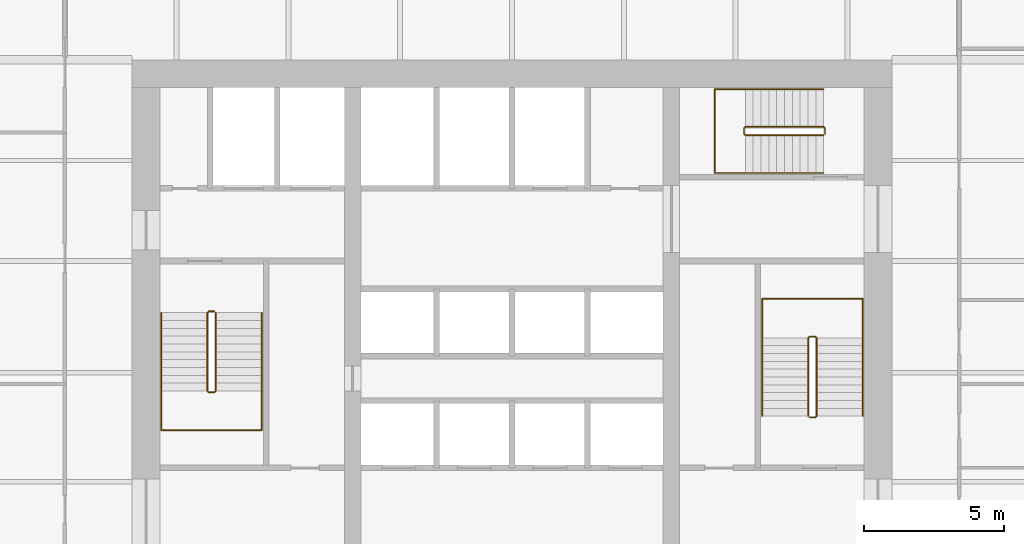
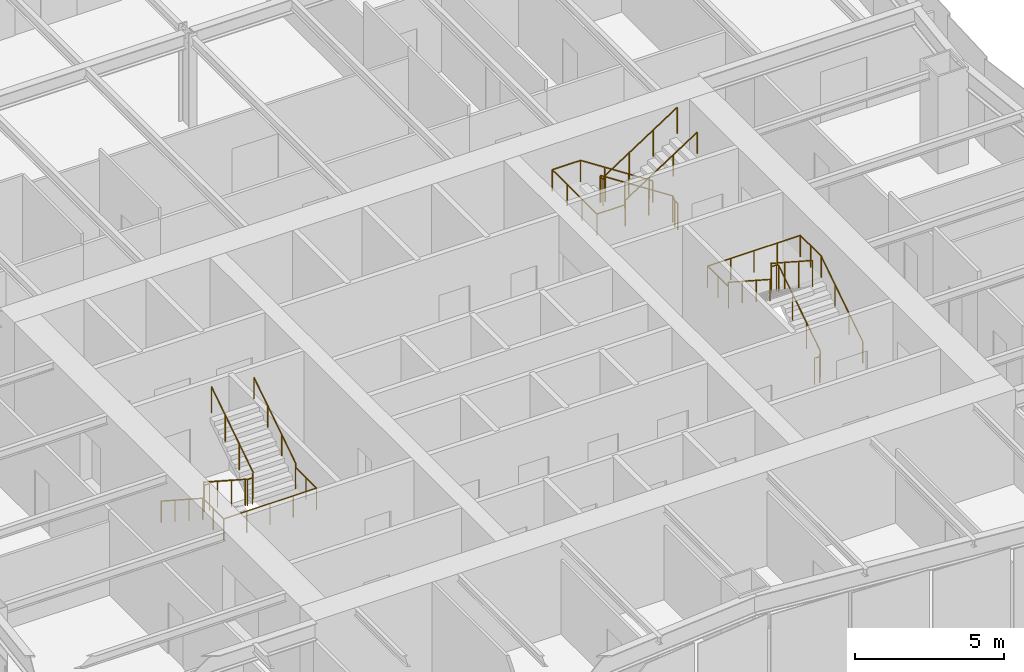
# One storey, part 8 of 8: 6 railings.
"""IFC4 building model written with IfcOpenShell, lengths in metres."""

from ifc_helpers import new_model, si_unit, direction, frame, origin, origin_2d, place, context, subcontext, project, spatial, circle, extrude, material, type_object, element, save


model = new_model("IFC4")

# Units and contexts
model_context = context("Model", 3, precision=1e-05, world=origin(), true_north=direction((0.0, 1.0)))
body_context = subcontext(model_context, "Body", "Model", "MODEL_VIEW")
ifc_project = project(units=[si_unit("LENGTHUNIT", "METRE"), si_unit("AREAUNIT", "SQUARE_METRE"), si_unit("VOLUMEUNIT", "CUBIC_METRE"), si_unit("PLANEANGLEUNIT", "RADIAN"), si_unit("MASSUNIT", "GRAM", prefix="KILO")], contexts=[model_context])

# Site, building, storey
site_placement = place(None, origin())
site = spatial("IfcSite", under=ifc_project, at=site_placement, CompositionType="ELEMENT")
building_placement = place(site_placement, origin())
building = spatial("IfcBuilding", under=site, at=building_placement, Name="Verdant Reach Tower", CompositionType="ELEMENT")
storey_placement = place(building_placement, frame((0.0, 0.0, 154.0)))
storey = spatial("IfcBuildingStorey", under=building, at=storey_placement, Name="L35", CompositionType="ELEMENT", Elevation=154.0)

# Railings
ifc_material = material(Name="Stainless steel", Category="steel")
railing_type_1 = type_object("IfcRailingType", Name="CO-GUARD", PredefinedType="GUARDRAIL", material=ifc_material)
railing_1_placement = place(storey_placement, frame((-10.64990234375, 29.60009765625, 0.0)))
element("IfcRailing", 1, at=railing_1_placement, inside=storey, type_object=railing_type_1, Name="L35 ST-1 stair guard 1", PredefinedType="GUARDRAIL", context=body_context, shape_type="SweptSolid", body=[
    extrude(circle(Radius=0.02392578125, at=origin_2d()), frame((0.0, 0.0, 1.076171875), z_axis=(-1.0, 0.0, 0.0), x_axis=(0.0, -1.0, 0.0)), (0.0, 0.0, 1.0), 0.2001953125),
    extrude(circle(Radius=0.02392578125, at=origin_2d()), frame((-0.2001953125, 0.0, 1.076171875), z_axis=(-0.25526617399, -0.256517478764, 0.932222056972), x_axis=(0.708833529934, -0.705375805398, 0.0)), (0.0, 0.0, 1.0), 0.195068359375),
    extrude(circle(Radius=0.02392578125, at=origin_2d()), frame((-0.25, -0.050048828125, 1.2578125), z_axis=(0.0, -0.838705829183, 0.544584733623), x_axis=(1.0, 0.0, 0.0)), (0.0, 0.0, 1.0), 3.338623046875),
    extrude(circle(Radius=0.02392578125, at=origin_2d()), frame((-0.25, -2.85009765625, 3.076171875), z_axis=(0.705375805398, -0.708833529934, 0.0), x_axis=(0.708833529934, 0.705375805398, 0.0)), (0.0, 0.0, 1.0), 0.070556640625),
    extrude(circle(Radius=0.02392578125, at=origin_2d()), frame((-0.2001953125, -2.900146484375, 3.076171875), z_axis=(1.0, 0.0, 0.0), x_axis=(0.0, 1.0, 0.0)), (0.0, 0.0, 1.0), 0.2001953125),
    extrude(circle(Radius=0.02392578125, at=origin_2d()), frame((0.0, -2.900146484375, 3.076171875), z_axis=(0.25526617399, 0.256517478764, 0.932222056972), x_axis=(-0.708833529934, 0.705375805398, 0.0)), (0.0, 0.0, 1.0), 0.195068359375),
    extrude(circle(Radius=0.02392578125, at=origin_2d()), frame((0.0498046875, -2.85009765625, 3.2578125), z_axis=(0.0, 0.838705829183, 0.544584733623), x_axis=(-1.0, 0.0, 0.0)), (0.0, 0.0, 1.0), 3.338623046875),
    extrude(circle(Radius=0.02099609375, at=origin_2d()), origin(), (0.0, 0.0, 1.0), 1.052001953125),
    extrude(circle(Radius=0.02099609375, at=origin_2d()), frame((-0.2001953125, 0.0, 0.0)), (0.0, 0.0, 1.0), 1.052001953125),
    extrude(circle(Radius=0.02099609375, at=origin_2d()), frame((-0.25, -0.050048828125, 0.181884765625)), (0.0, 0.0, 1.0), 1.052001953125),
    extrude(circle(Radius=0.02099609375, at=origin_2d()), frame((-0.25, -0.9833984375, 0.787841796875)), (0.0, 0.0, 1.0), 1.052001953125),
    extrude(circle(Radius=0.02099609375, at=origin_2d()), frame((-0.25, -1.916748046875, 1.39404296875)), (0.0, 0.0, 1.0), 1.052001953125),
    extrude(circle(Radius=0.02099609375, at=origin_2d()), frame((-0.25, -2.85009765625, 2.0)), (0.0, 0.0, 1.0), 1.052001953125),
    extrude(circle(Radius=0.02099609375, at=origin_2d()), frame((-0.2001953125, -2.900146484375, 2.0)), (0.0, 0.0, 1.0), 1.052001953125),
    extrude(circle(Radius=0.02099609375, at=origin_2d()), frame((0.0, -2.900146484375, 2.0)), (0.0, 0.0, 1.0), 1.052001953125),
    extrude(circle(Radius=0.02099609375, at=origin_2d()), frame((0.0498046875, -2.85009765625, 2.181884765625)), (0.0, 0.0, 1.0), 1.052001953125),
    extrude(circle(Radius=0.02099609375, at=origin_2d()), frame((0.0498046875, -1.916748046875, 2.787841796875)), (0.0, 0.0, 1.0), 1.052001953125),
    extrude(circle(Radius=0.02099609375, at=origin_2d()), frame((0.0498046875, -0.9833984375, 3.39404296875)), (0.0, 0.0, 1.0), 1.052001953125),
    extrude(circle(Radius=0.02099609375, at=origin_2d()), frame((0.0498046875, -0.050048828125, 4.0)), (0.0, 0.0, 1.0), 1.052001953125),
])
railing_2_placement = place(storey_placement, frame((10.64990234375, 25.800048828125, 0.0)))
element("IfcRailing", 2, at=railing_2_placement, inside=storey, type_object=railing_type_1, Name="L35 ST-2 stair guard 1", PredefinedType="GUARDRAIL", context=body_context, shape_type="SweptSolid", body=[
    extrude(circle(Radius=0.02392578125, at=origin_2d()), frame((0.0, 0.0, 1.076171875), z_axis=(1.0, 0.0, 0.0), x_axis=(0.0, 1.0, 0.0)), (0.0, 0.0, 1.0), 0.2001953125),
    extrude(circle(Radius=0.02392578125, at=origin_2d()), frame((0.2001953125, 0.0, 1.076171875), z_axis=(0.25526617399, 0.256517478764, 0.932222056972), x_axis=(-0.708833529934, 0.705375805398, 0.0)), (0.0, 0.0, 1.0), 0.195068359375),
    extrude(circle(Radius=0.02392578125, at=origin_2d()), frame((0.25, 0.050048828125, 1.2578125), z_axis=(0.0, 0.83868413941, 0.544618136222), x_axis=(-1.0, 0.0, 0.0)), (0.0, 0.0, 1.0), 3.33837890625),
    extrude(circle(Radius=0.02392578125, at=origin_2d()), frame((0.25, 2.849853515625, 3.076171875), z_axis=(-0.705375805398, 0.708833529934, 0.0), x_axis=(-0.708833529934, -0.705375805398, 0.0)), (0.0, 0.0, 1.0), 0.070556640625),
    extrude(circle(Radius=0.02392578125, at=origin_2d()), frame((0.2001953125, 2.89990234375, 3.076171875), z_axis=(-1.0, 0.0, 0.0), x_axis=(0.0, -1.0, 0.0)), (0.0, 0.0, 1.0), 0.2001953125),
    extrude(circle(Radius=0.02392578125, at=origin_2d()), frame((0.0, 2.89990234375, 3.076171875), z_axis=(-0.25526617399, -0.256517478764, 0.932222056972), x_axis=(0.708833529934, -0.705375805398, 0.0)), (0.0, 0.0, 1.0), 0.195068359375),
    extrude(circle(Radius=0.02392578125, at=origin_2d()), frame((-0.0498046875, 2.849853515625, 3.2578125), z_axis=(0.0, -0.83868413941, 0.544618136222), x_axis=(1.0, 0.0, 0.0)), (0.0, 0.0, 1.0), 3.33837890625),
    extrude(circle(Radius=0.02099609375, at=origin_2d()), origin(), (0.0, 0.0, 1.0), 1.052001953125),
    extrude(circle(Radius=0.02099609375, at=origin_2d()), frame((0.2001953125, 0.0, 0.0)), (0.0, 0.0, 1.0), 1.052001953125),
    extrude(circle(Radius=0.02099609375, at=origin_2d()), frame((0.25, 0.050048828125, 0.181884765625)), (0.0, 0.0, 1.0), 1.052001953125),
    extrude(circle(Radius=0.02099609375, at=origin_2d()), frame((0.25, 0.9833984375, 0.787841796875)), (0.0, 0.0, 1.0), 1.052001953125),
    extrude(circle(Radius=0.02099609375, at=origin_2d()), frame((0.25, 1.91650390625, 1.39404296875)), (0.0, 0.0, 1.0), 1.052001953125),
    extrude(circle(Radius=0.02099609375, at=origin_2d()), frame((0.25, 2.849853515625, 2.0)), (0.0, 0.0, 1.0), 1.052001953125),
    extrude(circle(Radius=0.02099609375, at=origin_2d()), frame((0.2001953125, 2.89990234375, 2.0)), (0.0, 0.0, 1.0), 1.052001953125),
    extrude(circle(Radius=0.02099609375, at=origin_2d()), frame((0.0, 2.89990234375, 2.0)), (0.0, 0.0, 1.0), 1.052001953125),
    extrude(circle(Radius=0.02099609375, at=origin_2d()), frame((-0.0498046875, 2.849853515625, 2.181884765625)), (0.0, 0.0, 1.0), 1.052001953125),
    extrude(circle(Radius=0.02099609375, at=origin_2d()), frame((-0.0498046875, 1.91650390625, 2.787841796875)), (0.0, 0.0, 1.0), 1.052001953125),
    extrude(circle(Radius=0.02099609375, at=origin_2d()), frame((-0.0498046875, 0.9833984375, 3.39404296875)), (0.0, 0.0, 1.0), 1.052001953125),
    extrude(circle(Radius=0.02099609375, at=origin_2d()), frame((-0.0498046875, 0.050048828125, 4.0)), (0.0, 0.0, 1.0), 1.052001953125),
])
railing_3_placement = place(storey_placement, frame((11.199951171875, 35.949951171875, 0.0)))
element("IfcRailing", 3, at=railing_3_placement, inside=storey, type_object=railing_type_1, Name="L35 ST-3 stair guard 1", PredefinedType="GUARDRAIL", context=body_context, shape_type="SweptSolid", body=[
    extrude(circle(Radius=0.02392578125, at=origin_2d()), frame((0.0, 0.0, 1.076171875), z_axis=(0.0, 1.0, 0.0), x_axis=(-1.0, 0.0, 0.0)), (0.0, 0.0, 1.0), 0.199951171875),
    extrude(circle(Radius=0.02392578125, at=origin_2d()), frame((0.0, 0.199951171875, 1.076171875), z_axis=(-0.256435381639, 0.256435381639, 0.931923704005), x_axis=(-0.707106781187, -0.707106781187, 0.0)), (0.0, 0.0, 1.0), 0.195068359375),
    extrude(circle(Radius=0.02392578125, at=origin_2d()), frame((-0.050048828125, 0.25, 1.2578125), z_axis=(-0.83868413941, 0.0, 0.544618136222), x_axis=(0.0, -1.0, 0.0)), (0.0, 0.0, 1.0), 3.33837890625),
    extrude(circle(Radius=0.02392578125, at=origin_2d()), frame((-2.849853515625, 0.25, 3.076171875), z_axis=(-0.707106781187, -0.707106781187, 0.0), x_axis=(0.707106781187, -0.707106781187, 0.0)), (0.0, 0.0, 1.0), 0.07080078125),
    extrude(circle(Radius=0.02392578125, at=origin_2d()), frame((-2.89990234375, 0.199951171875, 3.076171875), z_axis=(0.0, -1.0, 0.0), x_axis=(1.0, 0.0, 0.0)), (0.0, 0.0, 1.0), 0.199951171875),
    extrude(circle(Radius=0.02392578125, at=origin_2d()), frame((-2.89990234375, 0.0, 3.076171875), z_axis=(0.256435381639, -0.256435381639, 0.931923704005), x_axis=(0.707106781187, 0.707106781187, 0.0)), (0.0, 0.0, 1.0), 0.195068359375),
    extrude(circle(Radius=0.02392578125, at=origin_2d()), frame((-2.849853515625, -0.050048828125, 3.2578125), z_axis=(0.83868413941, 0.0, 0.544618136222), x_axis=(0.0, 1.0, 0.0)), (0.0, 0.0, 1.0), 3.33837890625),
    extrude(circle(Radius=0.02099609375, at=origin_2d()), origin(), (0.0, 0.0, 1.0), 1.052001953125),
    extrude(circle(Radius=0.02099609375, at=origin_2d()), frame((0.0, 0.199951171875, 0.0)), (0.0, 0.0, 1.0), 1.052001953125),
    extrude(circle(Radius=0.02099609375, at=origin_2d()), frame((-0.050048828125, 0.25, 0.181884765625)), (0.0, 0.0, 1.0), 1.052001953125),
    extrude(circle(Radius=0.02099609375, at=origin_2d()), frame((-0.9833984375, 0.25, 0.787841796875)), (0.0, 0.0, 1.0), 1.052001953125),
    extrude(circle(Radius=0.02099609375, at=origin_2d()), frame((-1.91650390625, 0.25, 1.39404296875)), (0.0, 0.0, 1.0), 1.052001953125),
    extrude(circle(Radius=0.02099609375, at=origin_2d()), frame((-2.849853515625, 0.25, 2.0)), (0.0, 0.0, 1.0), 1.052001953125),
    extrude(circle(Radius=0.02099609375, at=origin_2d()), frame((-2.89990234375, 0.199951171875, 2.0)), (0.0, 0.0, 1.0), 1.052001953125),
    extrude(circle(Radius=0.02099609375, at=origin_2d()), frame((-2.89990234375, 0.0, 2.0)), (0.0, 0.0, 1.0), 1.052001953125),
    extrude(circle(Radius=0.02099609375, at=origin_2d()), frame((-2.849853515625, -0.050048828125, 2.181884765625)), (0.0, 0.0, 1.0), 1.052001953125),
    extrude(circle(Radius=0.02099609375, at=origin_2d()), frame((-1.91650390625, -0.050048828125, 2.787841796875)), (0.0, 0.0, 1.0), 1.052001953125),
    extrude(circle(Radius=0.02099609375, at=origin_2d()), frame((-0.9833984375, -0.050048828125, 3.39404296875)), (0.0, 0.0, 1.0), 1.052001953125),
    extrude(circle(Radius=0.02099609375, at=origin_2d()), frame((-0.050048828125, -0.050048828125, 4.0)), (0.0, 0.0, 1.0), 1.052001953125),
])
railing_type_2 = type_object("IfcRailingType", Name="CO-HANDRAIL", PredefinedType="HANDRAIL", material=ifc_material)
railing_4_placement = place(storey_placement, frame((-12.550048828125, 29.550048828125, 0.181884765625)))
element("IfcRailing", 4, at=railing_4_placement, inside=storey, type_object=railing_type_2, Name="L35 ST-1 stair handrail 1", PredefinedType="HANDRAIL", context=body_context, shape_type="SweptSolid", body=[
    extrude(circle(Radius=0.02392578125, at=origin_2d()), frame((0.0, 0.0, 0.8759765625), z_axis=(0.0, -0.838705829183, 0.544584733623), x_axis=(1.0, 0.0, 0.0)), (0.0, 0.0, 1.0), 3.338623046875),
    extrude(circle(Radius=0.02392578125, at=origin_2d()), frame((0.0, -2.800048828125, 2.69384765625), z_axis=(0.0, -1.0, 0.0), x_axis=(1.0, 0.0, 0.0)), (0.0, 0.0, 1.0), 1.39990234375),
    extrude(circle(Radius=0.02392578125, at=origin_2d()), frame((0.0, -4.199951171875, 2.69384765625), z_axis=(1.0, 0.0, 0.0), x_axis=(0.0, 1.0, 0.0)), (0.0, 0.0, 1.0), 3.60009765625),
    extrude(circle(Radius=0.02392578125, at=origin_2d()), frame((3.60009765625, -4.199951171875, 2.69384765625), z_axis=(0.0, 1.0, 0.0), x_axis=(-1.0, 0.0, 0.0)), (0.0, 0.0, 1.0), 1.39990234375),
    extrude(circle(Radius=0.02392578125, at=origin_2d()), frame((3.60009765625, -2.800048828125, 2.69384765625), z_axis=(0.0, 0.0, 1.0), x_axis=(1.0, 0.0, 0.0)), (0.0, 0.0, 1.0), 0.181884765625),
    extrude(circle(Radius=0.02392578125, at=origin_2d()), frame((3.60009765625, -2.800048828125, 2.8759765625), z_axis=(0.0, 0.838705829183, 0.544584733623), x_axis=(-1.0, 0.0, 0.0)), (0.0, 0.0, 1.0), 3.338623046875),
    extrude(circle(Radius=0.02099609375, at=origin_2d()), origin(), (0.0, 0.0, 1.0), 0.851806640625),
    extrude(circle(Radius=0.02099609375, at=origin_2d()), frame((0.0, -0.933349609375, 0.60595703125)), (0.0, 0.0, 1.0), 0.851806640625),
    extrude(circle(Radius=0.02099609375, at=origin_2d()), frame((0.0, -1.86669921875, 1.212158203125)), (0.0, 0.0, 1.0), 0.851806640625),
    extrude(circle(Radius=0.02099609375, at=origin_2d()), frame((0.0, -2.800048828125, 1.818115234375)), (0.0, 0.0, 1.0), 0.851806640625),
    extrude(circle(Radius=0.02099609375, at=origin_2d()), frame((0.0, -3.5, 1.818115234375)), (0.0, 0.0, 1.0), 0.851806640625),
    extrude(circle(Radius=0.02099609375, at=origin_2d()), frame((0.0, -4.199951171875, 1.818115234375)), (0.0, 0.0, 1.0), 0.851806640625),
    extrude(circle(Radius=0.02099609375, at=origin_2d()), frame((0.89990234375, -4.199951171875, 1.818115234375)), (0.0, 0.0, 1.0), 0.851806640625),
    extrude(circle(Radius=0.02099609375, at=origin_2d()), frame((1.800048828125, -4.199951171875, 1.818115234375)), (0.0, 0.0, 1.0), 0.851806640625),
    extrude(circle(Radius=0.02099609375, at=origin_2d()), frame((2.7001953125, -4.199951171875, 1.818115234375)), (0.0, 0.0, 1.0), 0.851806640625),
    extrude(circle(Radius=0.02099609375, at=origin_2d()), frame((3.60009765625, -4.199951171875, 1.818115234375)), (0.0, 0.0, 1.0), 0.851806640625),
    extrude(circle(Radius=0.02099609375, at=origin_2d()), frame((3.60009765625, -3.5, 1.818115234375)), (0.0, 0.0, 1.0), 0.851806640625),
    extrude(circle(Radius=0.02099609375, at=origin_2d()), frame((3.60009765625, -2.800048828125, 1.818115234375)), (0.0, 0.0, 1.0), 0.851806640625),
    extrude(circle(Radius=0.02099609375, at=origin_2d()), frame((3.60009765625, -2.800048828125, 2.0)), (0.0, 0.0, 1.0), 0.851806640625),
    extrude(circle(Radius=0.02099609375, at=origin_2d()), frame((3.60009765625, -1.86669921875, 2.60595703125)), (0.0, 0.0, 1.0), 0.851806640625),
    extrude(circle(Radius=0.02099609375, at=origin_2d()), frame((3.60009765625, -0.933349609375, 3.212158203125)), (0.0, 0.0, 1.0), 0.851806640625),
    extrude(circle(Radius=0.02099609375, at=origin_2d()), frame((3.60009765625, 0.0, 3.818115234375)), (0.0, 0.0, 1.0), 0.851806640625),
])
railing_5_placement = place(storey_placement, frame((12.550048828125, 25.85009765625, 0.181884765625)))
element("IfcRailing", 5, at=railing_5_placement, inside=storey, type_object=railing_type_2, Name="L35 ST-2 stair handrail 1", PredefinedType="HANDRAIL", context=body_context, shape_type="SweptSolid", body=[
    extrude(circle(Radius=0.02392578125, at=origin_2d()), frame((0.0, 0.0, 0.8759765625), z_axis=(0.0, 0.83868413941, 0.544618136222), x_axis=(-1.0, 0.0, 0.0)), (0.0, 0.0, 1.0), 3.33837890625),
    extrude(circle(Radius=0.02392578125, at=origin_2d()), frame((0.0, 2.7998046875, 2.69384765625), z_axis=(0.0, 1.0, 0.0), x_axis=(-1.0, 0.0, 0.0)), (0.0, 0.0, 1.0), 1.400146484375),
    extrude(circle(Radius=0.02392578125, at=origin_2d()), frame((0.0, 4.199951171875, 2.69384765625), z_axis=(-1.0, 0.0, 0.0), x_axis=(0.0, -1.0, 0.0)), (0.0, 0.0, 1.0), 3.60009765625),
    extrude(circle(Radius=0.02392578125, at=origin_2d()), frame((-3.60009765625, 4.199951171875, 2.69384765625), z_axis=(0.0, -1.0, 0.0), x_axis=(1.0, 0.0, 0.0)), (0.0, 0.0, 1.0), 1.400146484375),
    extrude(circle(Radius=0.02392578125, at=origin_2d()), frame((-3.60009765625, 2.7998046875, 2.69384765625), z_axis=(0.0, 0.0, 1.0), x_axis=(1.0, 0.0, 0.0)), (0.0, 0.0, 1.0), 0.181884765625),
    extrude(circle(Radius=0.02392578125, at=origin_2d()), frame((-3.60009765625, 2.7998046875, 2.8759765625), z_axis=(0.0, -0.83868413941, 0.544618136222), x_axis=(1.0, 0.0, 0.0)), (0.0, 0.0, 1.0), 3.33837890625),
    extrude(circle(Radius=0.02099609375, at=origin_2d()), origin(), (0.0, 0.0, 1.0), 0.851806640625),
    extrude(circle(Radius=0.02099609375, at=origin_2d()), frame((0.0, 0.933349609375, 0.60595703125)), (0.0, 0.0, 1.0), 0.851806640625),
    extrude(circle(Radius=0.02099609375, at=origin_2d()), frame((0.0, 1.866455078125, 1.212158203125)), (0.0, 0.0, 1.0), 0.851806640625),
    extrude(circle(Radius=0.02099609375, at=origin_2d()), frame((0.0, 2.7998046875, 1.818115234375)), (0.0, 0.0, 1.0), 0.851806640625),
    extrude(circle(Radius=0.02099609375, at=origin_2d()), frame((0.0, 3.5, 1.818115234375)), (0.0, 0.0, 1.0), 0.851806640625),
    extrude(circle(Radius=0.02099609375, at=origin_2d()), frame((0.0, 4.199951171875, 1.818115234375)), (0.0, 0.0, 1.0), 0.851806640625),
    extrude(circle(Radius=0.02099609375, at=origin_2d()), frame((-0.89990234375, 4.199951171875, 1.818115234375)), (0.0, 0.0, 1.0), 0.851806640625),
    extrude(circle(Radius=0.02099609375, at=origin_2d()), frame((-1.800048828125, 4.199951171875, 1.818115234375)), (0.0, 0.0, 1.0), 0.851806640625),
    extrude(circle(Radius=0.02099609375, at=origin_2d()), frame((-2.7001953125, 4.199951171875, 1.818115234375)), (0.0, 0.0, 1.0), 0.851806640625),
    extrude(circle(Radius=0.02099609375, at=origin_2d()), frame((-3.60009765625, 4.199951171875, 1.818115234375)), (0.0, 0.0, 1.0), 0.851806640625),
    extrude(circle(Radius=0.02099609375, at=origin_2d()), frame((-3.60009765625, 3.5, 1.818115234375)), (0.0, 0.0, 1.0), 0.851806640625),
    extrude(circle(Radius=0.02099609375, at=origin_2d()), frame((-3.60009765625, 2.7998046875, 1.818115234375)), (0.0, 0.0, 1.0), 0.851806640625),
    extrude(circle(Radius=0.02099609375, at=origin_2d()), frame((-3.60009765625, 2.7998046875, 2.0)), (0.0, 0.0, 1.0), 0.851806640625),
    extrude(circle(Radius=0.02099609375, at=origin_2d()), frame((-3.60009765625, 1.866455078125, 2.60595703125)), (0.0, 0.0, 1.0), 0.851806640625),
    extrude(circle(Radius=0.02099609375, at=origin_2d()), frame((-3.60009765625, 0.933349609375, 3.212158203125)), (0.0, 0.0, 1.0), 0.851806640625),
    extrude(circle(Radius=0.02099609375, at=origin_2d()), frame((-3.60009765625, 0.0, 3.818115234375)), (0.0, 0.0, 1.0), 0.851806640625),
])
railing_6_placement = place(storey_placement, frame((11.14990234375, 37.550048828125, 0.181884765625)))
element("IfcRailing", 6, at=railing_6_placement, inside=storey, type_object=railing_type_2, Name="L35 ST-3 stair handrail 1", PredefinedType="HANDRAIL", context=body_context, shape_type="SweptSolid", body=[
    extrude(circle(Radius=0.02392578125, at=origin_2d()), frame((0.0, 0.0, 0.8759765625), z_axis=(-0.83868413941, 0.0, 0.544618136222), x_axis=(0.0, -1.0, 0.0)), (0.0, 0.0, 1.0), 3.33837890625),
    extrude(circle(Radius=0.02392578125, at=origin_2d()), frame((-2.7998046875, 0.0, 2.69384765625), z_axis=(-1.0, 0.0, 0.0), x_axis=(0.0, -1.0, 0.0)), (0.0, 0.0, 1.0), 1.10009765625),
    extrude(circle(Radius=0.02392578125, at=origin_2d()), frame((-3.89990234375, 0.0, 2.69384765625), z_axis=(0.0, -1.0, 0.0), x_axis=(1.0, 0.0, 0.0)), (0.0, 0.0, 1.0), 3.0),
    extrude(circle(Radius=0.02392578125, at=origin_2d()), frame((-3.89990234375, -3.0, 2.69384765625), z_axis=(1.0, 0.0, 0.0), x_axis=(0.0, 1.0, 0.0)), (0.0, 0.0, 1.0), 1.10009765625),
    extrude(circle(Radius=0.02392578125, at=origin_2d()), frame((-2.7998046875, -3.0, 2.69384765625), z_axis=(0.0, 0.0, 1.0), x_axis=(1.0, 0.0, 0.0)), (0.0, 0.0, 1.0), 0.181884765625),
    extrude(circle(Radius=0.02392578125, at=origin_2d()), frame((-2.7998046875, -3.0, 2.8759765625), z_axis=(0.83868413941, 0.0, 0.544618136222), x_axis=(0.0, 1.0, 0.0)), (0.0, 0.0, 1.0), 3.33837890625),
    extrude(circle(Radius=0.02099609375, at=origin_2d()), origin(), (0.0, 0.0, 1.0), 0.851806640625),
    extrude(circle(Radius=0.02099609375, at=origin_2d()), frame((-0.933349609375, 0.0, 0.60595703125)), (0.0, 0.0, 1.0), 0.851806640625),
    extrude(circle(Radius=0.02099609375, at=origin_2d()), frame((-1.866455078125, 0.0, 1.212158203125)), (0.0, 0.0, 1.0), 0.851806640625),
    extrude(circle(Radius=0.02099609375, at=origin_2d()), frame((-2.7998046875, 0.0, 1.818115234375)), (0.0, 0.0, 1.0), 0.851806640625),
    extrude(circle(Radius=0.02099609375, at=origin_2d()), frame((-3.89990234375, 0.0, 1.818115234375)), (0.0, 0.0, 1.0), 0.851806640625),
    extrude(circle(Radius=0.02099609375, at=origin_2d()), frame((-3.89990234375, -1.0, 1.818115234375)), (0.0, 0.0, 1.0), 0.851806640625),
    extrude(circle(Radius=0.02099609375, at=origin_2d()), frame((-3.89990234375, -2.0, 1.818115234375)), (0.0, 0.0, 1.0), 0.851806640625),
    extrude(circle(Radius=0.02099609375, at=origin_2d()), frame((-3.89990234375, -3.0, 1.818115234375)), (0.0, 0.0, 1.0), 0.851806640625),
    extrude(circle(Radius=0.02099609375, at=origin_2d()), frame((-2.7998046875, -3.0, 1.818115234375)), (0.0, 0.0, 1.0), 0.851806640625),
    extrude(circle(Radius=0.02099609375, at=origin_2d()), frame((-2.7998046875, -3.0, 2.0)), (0.0, 0.0, 1.0), 0.851806640625),
    extrude(circle(Radius=0.02099609375, at=origin_2d()), frame((-1.866455078125, -3.0, 2.60595703125)), (0.0, 0.0, 1.0), 0.851806640625),
    extrude(circle(Radius=0.02099609375, at=origin_2d()), frame((-0.933349609375, -3.0, 3.212158203125)), (0.0, 0.0, 1.0), 0.851806640625),
    extrude(circle(Radius=0.02099609375, at=origin_2d()), frame((0.0, -3.0, 3.818115234375)), (0.0, 0.0, 1.0), 0.851806640625),
])

save(model, "model.ifc")
